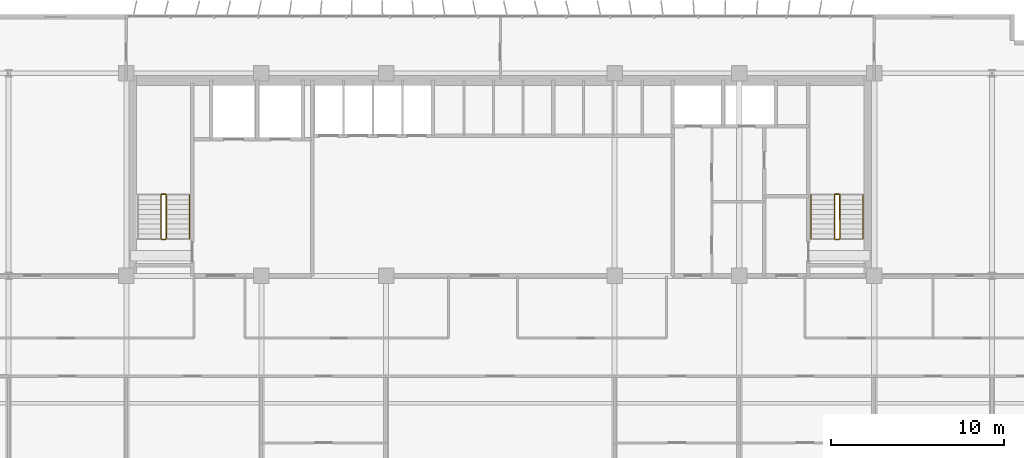
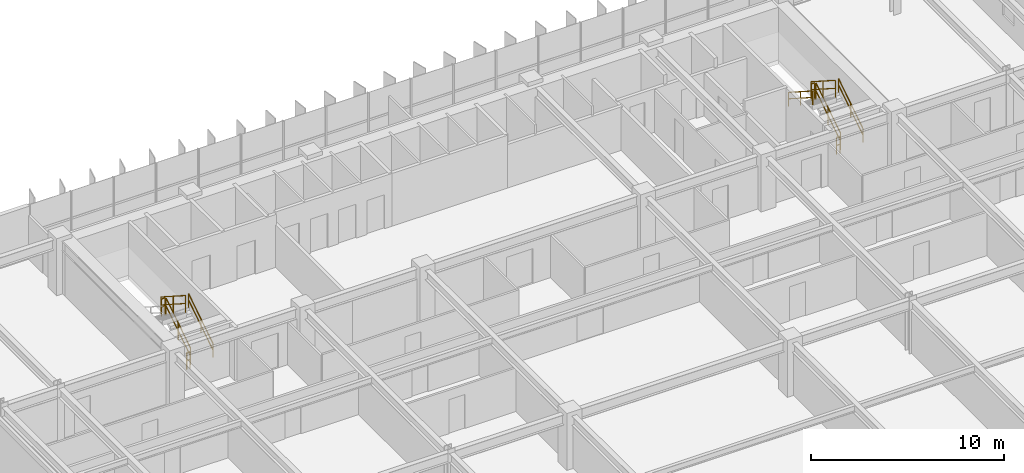
# One storey, part 20 of 21: 11 railings.
"""IFC4 building model written with IfcOpenShell, lengths in metres."""

import ifcopenshell
import ifcopenshell.guid

model = None  # the IFC model being written
_history = None  # IfcOwnerHistory: only IFC2X3 demands one
_inside = {}  # id of a spatial element -> (the spatial element, [elements in it])
_under = {}  # id of a project, library or spatial element -> (it, [spatial elements below it])
_declared = {}  # id of a project -> (the project, [libraries it declares])
_typed = {}  # id of a type object -> (the type object, [elements of that type])
_made_of = {}  # id of a material, layer set ... -> (it, [elements and type objects made of it])


def new_model(schema):
    """Start an empty IFC model of exactly this schema.

    Asked for "IFC4X3", IfcOpenShell would pick the latest addendum, in which some entities
    have other attributes; the version numbers below select the first issue.
    IFC2X3 requires an IfcOwnerHistory on every rooted entity: one is made here for all.
    """
    global model, _history
    if schema == "IFC4X3":
        model = ifcopenshell.file(schema_version=(4, 3, 0, 0))
    else:
        model = ifcopenshell.file(schema=schema)
    _inside.clear()
    _under.clear()
    _declared.clear()
    _typed.clear()
    _made_of.clear()
    _history = None
    if model.schema == "IFC2X3":
        org = make("IfcOrganization", Name="unknown")
        user = make(
            "IfcPersonAndOrganization",
            ThePerson=make("IfcPerson", FamilyName="unknown"),
            TheOrganization=org,
        )
        app = make(
            "IfcApplication",
            ApplicationDeveloper=org,
            Version="unknown",
            ApplicationFullName="unknown",
            ApplicationIdentifier="unknown",
        )
        _history = make(
            "IfcOwnerHistory",
            OwningUser=user,
            OwningApplication=app,
            ChangeAction="ADDED",
            CreationDate=0,
        )
    return model


def make(cls, **values):
    """One entity of the class cls with the attributes given. An attribute that is None is left unset."""
    return model.create_entity(
        cls, **{name: value for name, value in values.items() if value is not None}
    )


def rooted(cls, **values):
    """An entity with a GlobalId (a new one), such as an element, a storey or a relation."""
    return make(cls, GlobalId=ifcopenshell.guid.new(), OwnerHistory=_history, **values)


def si_unit(unit_type, name, prefix=None):
    """IfcSIUnit, for example si_unit("LENGTHUNIT", "METRE", prefix="MILLI")."""
    return make("IfcSIUnit", UnitType=unit_type, Prefix=prefix, Name=name)


def assignment(units):
    """IfcUnitAssignment: the units of a project."""
    return None if units is None else make("IfcUnitAssignment", Units=units)


def point(xyz):
    """IfcCartesianPoint."""
    return None if xyz is None else make("IfcCartesianPoint", Coordinates=xyz)


def direction(xyz):
    """IfcDirection."""
    return None if xyz is None else make("IfcDirection", DirectionRatios=xyz)


def frame(location, z_axis=None, x_axis=None):
    """IfcAxis2Placement3D, a coordinate frame: its origin and axes. An axis left out is left unset."""
    return make(
        "IfcAxis2Placement3D",
        Location=point(location),
        Axis=direction(z_axis),
        RefDirection=direction(x_axis),
    )


def frame_2d(location, x_axis=None):
    """IfcAxis2Placement2D, a coordinate frame in the plane: its origin and x axis."""
    return make(
        "IfcAxis2Placement2D", Location=point(location), RefDirection=direction(x_axis)
    )


def origin():
    """The frame at (0, 0, 0) with its axes left unset."""
    return frame((0.0, 0.0, 0.0))


def origin_2d():
    """The frame at (0, 0) in the plane with its x axis left unset."""
    return frame_2d((0.0, 0.0))


def place(relative_to, where):
    """IfcLocalPlacement: puts the frame where relative to a parent placement (None: the world)."""
    return make(
        "IfcLocalPlacement", PlacementRelTo=relative_to, RelativePlacement=where
    )


def context(
    kind, dimensions, precision=None, world=None, true_north=None, identifier=None
):
    """IfcGeometricRepresentationContext, for example the 3D "Model" context."""
    return make(
        "IfcGeometricRepresentationContext",
        ContextIdentifier=identifier,
        ContextType=kind,
        CoordinateSpaceDimension=dimensions,
        Precision=precision,
        WorldCoordinateSystem=world,
        TrueNorth=true_north,
    )


def subcontext(parent, identifier, kind, view, scale=None):
    """IfcGeometricRepresentationSubContext, for example "Body" below "Model"."""
    return make(
        "IfcGeometricRepresentationSubContext",
        ContextIdentifier=identifier,
        ContextType=kind,
        ParentContext=parent,
        TargetScale=scale,
        TargetView=view,
    )


def project(units=None, contexts=None):
    """IfcProject with its units and contexts."""
    return rooted(
        "IfcProject",
        Name="project",
        RepresentationContexts=contexts,
        UnitsInContext=assignment(units),
    )


def spatial(cls, under=None, at=None, **own):
    """A site, building, storey or space (cls), placed at a placement, below another one or the project."""
    s = rooted(cls, ObjectPlacement=at, **own)
    if under is not None:
        _under.setdefault(under.id(), (under, []))[1].append(s)
    return s


def profile(cls, at=None, kind="AREA", **sizes):
    """A parametric profile (cls). Its sizes go by their IFC names, for example OverallWidth=200.0."""
    return make(cls, ProfileType=kind, Position=at, **sizes)


def rectangle(**sizes):
    """IfcRectangleProfileDef."""
    return profile("IfcRectangleProfileDef", **sizes)


def extrude(swept, where, along, depth):
    """IfcExtrudedAreaSolid: the profile swept, set in the frame where, extruded along a direction by depth."""
    return make(
        "IfcExtrudedAreaSolid",
        SweptArea=swept,
        Position=where,
        ExtrudedDirection=direction(along),
        Depth=depth,
    )


def shape(context_of_items, identifier, shape_type, items):
    """IfcShapeRepresentation: the items that make up one representation, for example the "Body"."""
    return make(
        "IfcShapeRepresentation",
        ContextOfItems=context_of_items,
        RepresentationIdentifier=identifier,
        RepresentationType=shape_type,
        Items=items,
    )


def material(Name=None, Category=None):
    """IfcMaterial."""
    return make("IfcMaterial", Name=Name, Category=Category)


def made_of(thing, what):
    """Note that an element or type object is made of a material, layer set ...; save() writes the relation."""
    if what is not None:
        _made_of.setdefault(what.id(), (what, []))[1].append(thing)
    return thing


def type_object(cls, material=None, **own):
    """A type object (cls), such as IfcWallType, which elements share."""
    return made_of(rooted(cls, **own), material)


def element(
    cls,
    number,
    at=None,
    inside=None,
    cuts=None,
    type_object=None,
    material=None,
    context=None,
    identifier="Body",
    shape_type=None,
    held_by="IfcProductDefinitionShape",
    body=None,
    shapes=None,
    **own,
):
    """One element of the class cls, such as IfcWall. Its Tag is "e" and its number.

    at: its placement. inside: the storey or other place that contains it. cuts: it is an
    opening in that element (IfcRelVoidsElement). A single representation is given by context,
    identifier, shape_type and body (its items); several are given by shapes. held_by: the class
    of the entity that holds the representations. save() writes the other relations.
    """
    e = rooted(cls, Tag="e%d" % number, ObjectPlacement=at, **own)
    if body is not None:
        shapes = [shape(context, identifier, shape_type, body)]
    if shapes is not None:
        e.Representation = make(held_by, Representations=shapes)
    if inside is not None:
        _inside.setdefault(inside.id(), (inside, []))[1].append(e)
    if cuts is not None:
        rooted(
            "IfcRelVoidsElement", RelatingBuildingElement=cuts, RelatedOpeningElement=e
        )
    if type_object is not None:
        _typed.setdefault(type_object.id(), (type_object, []))[1].append(e)
    return made_of(e, material)


def aggregate(whole, parts):
    """IfcRelAggregates: a whole, such as a stair, and the parts it consists of."""
    return rooted("IfcRelAggregates", RelatingObject=whole, RelatedObjects=parts)


def save(model, path):
    """Write the relations noted so far, then the file.

    IfcRelAggregates (storeys below a building ...), IfcRelContainedInSpatialStructure (elements
    in a storey), IfcRelDefinesByType, IfcRelAssociatesMaterial and IfcRelDeclares: one each for
    every whole, place, type object, material and project.
    """
    for whole, parts in _under.values():
        aggregate(whole, parts)
    for where, things in _inside.values():
        rooted(
            "IfcRelContainedInSpatialStructure",
            RelatedElements=things,
            RelatingStructure=where,
        )
    for kind, things in _typed.values():
        rooted("IfcRelDefinesByType", RelatedObjects=things, RelatingType=kind)
    for what, things in _made_of.values():
        rooted("IfcRelAssociatesMaterial", RelatedObjects=things, RelatingMaterial=what)
    for by, libraries in _declared.values():
        rooted("IfcRelDeclares", RelatingContext=by, RelatedDefinitions=libraries)
    model.write(path)


model = new_model("IFC4")

# Units and contexts
model_context = context("Model", 3, precision=1e-05, world=origin(), true_north=direction((0.0, 1.0)))
body_context = subcontext(model_context, "Body", "Model", "MODEL_VIEW")
ifc_project = project(units=[si_unit("LENGTHUNIT", "METRE"), si_unit("AREAUNIT", "SQUARE_METRE"), si_unit("VOLUMEUNIT", "CUBIC_METRE"), si_unit("PLANEANGLEUNIT", "RADIAN"), si_unit("MASSUNIT", "GRAM", prefix="KILO")], contexts=[model_context])

# Site, building, storey
site_placement = place(None, origin())
site = spatial("IfcSite", under=ifc_project, at=site_placement, CompositionType="ELEMENT")
building_placement = place(site_placement, origin())
building = spatial("IfcBuilding", under=site, at=building_placement, Name="Trelvane Seafront Commons", CompositionType="ELEMENT")
storey_placement = place(building_placement, frame((0.0, 0.0, 41.5)))
storey = spatial("IfcBuildingStorey", under=building, at=storey_placement, Name="L10", CompositionType="ELEMENT", Elevation=41.5)

# Railings
ifc_material = material(Name="Stainless steel balustrade", Category="steel")
railing_type_1 = type_object("IfcRailingType", Name="ARCH-SRL-GUARD", PredefinedType="GUARDRAIL", material=ifc_material)
railing_1_placement = place(storey_placement, frame((17.89990234375, 35.550048828125, 0.179931640625)))
element("IfcRailing", 1, at=railing_1_placement, inside=storey, type_object=railing_type_1, Name="L10 ST-1 stair guard 1", PredefinedType="GUARDRAIL", context=body_context, shape_type="SweptSolid", body=[
    extrude(rectangle(XDim=0.048095703125, YDim=0.048095703125, at=origin_2d()), frame((0.0, 0.0, 1.076171875), z_axis=(0.0, 0.841162588446, 0.540782303519), x_axis=(-1.0, 0.0, 0.0)), (0.0, 0.0, 1.0), 2.995849609375),
    extrude(rectangle(XDim=0.048095703125, YDim=0.048095703125, at=origin_2d()), frame((0.0, 0.0, 0.572021484375), z_axis=(0.0, 0.841162588446, 0.540782303519), x_axis=(-1.0, 0.0, 0.0)), (0.0, 0.0, 1.0), 2.995849609375),
    extrude(rectangle(XDim=0.0419921875, YDim=0.0419921875, at=origin_2d()), origin(), (0.0, 0.0, 1.0), 1.076171875),
    extrude(rectangle(XDim=0.0419921875, YDim=0.0419921875, at=origin_2d()), frame((0.0, 1.260009765625, 0.81005859375)), (0.0, 0.0, 1.0), 1.076171875),
    extrude(rectangle(XDim=0.0419921875, YDim=0.0419921875, at=origin_2d()), frame((0.0, 2.52001953125, 1.6201171875)), (0.0, 0.0, 1.0), 1.076171875),
])
railing_2_placement = place(storey_placement, frame((17.85009765625, 38.1201171875, 1.800048828125)))
element("IfcRailing", 2, at=railing_2_placement, inside=storey, type_object=railing_type_1, Name="L10 ST-1 stair guard 2", PredefinedType="GUARDRAIL", context=body_context, shape_type="SweptSolid", body=[
    extrude(rectangle(XDim=0.048095703125, YDim=0.048095703125, at=origin_2d()), frame((0.0, 0.0, 1.076171875), z_axis=(-1.0, 0.0, 0.0), x_axis=(0.0, -1.0, 0.0)), (0.0, 0.0, 1.0), 0.2001953125),
    extrude(rectangle(XDim=0.048095703125, YDim=0.048095703125, at=origin_2d()), frame((0.0, 0.0, 0.572021484375), z_axis=(-1.0, 0.0, 0.0), x_axis=(0.0, -1.0, 0.0)), (0.0, 0.0, 1.0), 0.2001953125),
    extrude(rectangle(XDim=0.0419921875, YDim=0.0419921875, at=origin_2d()), origin(), (0.0, 0.0, 1.0), 1.076171875),
    extrude(rectangle(XDim=0.0419921875, YDim=0.0419921875, at=origin_2d()), frame((-0.2001953125, 0.0, 0.0)), (0.0, 0.0, 1.0), 1.076171875),
])
railing_3_placement = place(storey_placement, frame((17.60009765625, 38.070068359375, 1.97998046875)))
element("IfcRailing", 3, at=railing_3_placement, inside=storey, type_object=railing_type_1, Name="L10 ST-1 stair guard 3", PredefinedType="GUARDRAIL", context=body_context, shape_type="SweptSolid", body=[
    extrude(rectangle(XDim=0.048095703125, YDim=0.048095703125, at=origin_2d()), frame((0.0, 0.0, 1.076171875), z_axis=(0.0, -0.841162588446, 0.540782303519), x_axis=(1.0, 0.0, 0.0)), (0.0, 0.0, 1.0), 2.995849609375),
    extrude(rectangle(XDim=0.048095703125, YDim=0.048095703125, at=origin_2d()), frame((0.0, 0.0, 0.572021484375), z_axis=(0.0, -0.841162588446, 0.540782303519), x_axis=(1.0, 0.0, 0.0)), (0.0, 0.0, 1.0), 2.995849609375),
    extrude(rectangle(XDim=0.0419921875, YDim=0.0419921875, at=origin_2d()), origin(), (0.0, 0.0, 1.0), 1.076171875),
    extrude(rectangle(XDim=0.0419921875, YDim=0.0419921875, at=origin_2d()), frame((0.0, -1.260009765625, 0.81005859375)), (0.0, 0.0, 1.0), 1.076171875),
    extrude(rectangle(XDim=0.0419921875, YDim=0.0419921875, at=origin_2d()), frame((0.0, -2.52001953125, 1.6201171875)), (0.0, 0.0, 1.0), 1.076171875),
])
railing_4_placement = place(storey_placement, frame((17.85009765625, 35.5, 0.0)))
element("IfcRailing", 4, at=railing_4_placement, inside=storey, type_object=railing_type_1, Name="L10 ST-1 stair guard 4", PredefinedType="GUARDRAIL", context=body_context, shape_type="SweptSolid", body=[
    extrude(rectangle(XDim=0.048095703125, YDim=0.048095703125, at=origin_2d()), frame((0.0, 0.0, 1.076171875), z_axis=(-1.0, 0.0, 0.0), x_axis=(0.0, -1.0, 0.0)), (0.0, 0.0, 1.0), 0.2001953125),
    extrude(rectangle(XDim=0.048095703125, YDim=0.048095703125, at=origin_2d()), frame((0.0, 0.0, 0.572021484375), z_axis=(-1.0, 0.0, 0.0), x_axis=(0.0, -1.0, 0.0)), (0.0, 0.0, 1.0), 0.2001953125),
    extrude(rectangle(XDim=0.0419921875, YDim=0.0419921875, at=origin_2d()), origin(), (0.0, 0.0, 1.0), 1.076171875),
    extrude(rectangle(XDim=0.0419921875, YDim=0.0419921875, at=origin_2d()), frame((-0.2001953125, 0.0, 0.0)), (0.0, 0.0, 1.0), 1.076171875),
])
railing_5_placement = place(storey_placement, frame((56.800048828125, 35.550048828125, 0.179931640625)))
element("IfcRailing", 5, at=railing_5_placement, inside=storey, type_object=railing_type_1, Name="L10 ST-2 stair guard 1", PredefinedType="GUARDRAIL", context=body_context, shape_type="SweptSolid", body=[
    extrude(rectangle(XDim=0.048095703125, YDim=0.048095703125, at=origin_2d()), frame((0.0, 0.0, 1.076171875), z_axis=(0.0, 0.841162588446, 0.540782303519), x_axis=(-1.0, 0.0, 0.0)), (0.0, 0.0, 1.0), 2.995849609375),
    extrude(rectangle(XDim=0.048095703125, YDim=0.048095703125, at=origin_2d()), frame((0.0, 0.0, 0.572021484375), z_axis=(0.0, 0.841162588446, 0.540782303519), x_axis=(-1.0, 0.0, 0.0)), (0.0, 0.0, 1.0), 2.995849609375),
    extrude(rectangle(XDim=0.0419921875, YDim=0.0419921875, at=origin_2d()), origin(), (0.0, 0.0, 1.0), 1.076171875),
    extrude(rectangle(XDim=0.0419921875, YDim=0.0419921875, at=origin_2d()), frame((0.0, 1.260009765625, 0.81005859375)), (0.0, 0.0, 1.0), 1.076171875),
    extrude(rectangle(XDim=0.0419921875, YDim=0.0419921875, at=origin_2d()), frame((0.0, 2.52001953125, 1.6201171875)), (0.0, 0.0, 1.0), 1.076171875),
])
railing_6_placement = place(storey_placement, frame((56.75, 38.1201171875, 1.800048828125)))
element("IfcRailing", 6, at=railing_6_placement, inside=storey, type_object=railing_type_1, Name="L10 ST-2 stair guard 2", PredefinedType="GUARDRAIL", context=body_context, shape_type="SweptSolid", body=[
    extrude(rectangle(XDim=0.048095703125, YDim=0.048095703125, at=origin_2d()), frame((0.0, 0.0, 1.076171875), z_axis=(-1.0, 0.0, 0.0), x_axis=(0.0, -1.0, 0.0)), (0.0, 0.0, 1.0), 0.199951171875),
    extrude(rectangle(XDim=0.048095703125, YDim=0.048095703125, at=origin_2d()), frame((0.0, 0.0, 0.572021484375), z_axis=(-1.0, 0.0, 0.0), x_axis=(0.0, -1.0, 0.0)), (0.0, 0.0, 1.0), 0.199951171875),
    extrude(rectangle(XDim=0.0419921875, YDim=0.0419921875, at=origin_2d()), origin(), (0.0, 0.0, 1.0), 1.076171875),
    extrude(rectangle(XDim=0.0419921875, YDim=0.0419921875, at=origin_2d()), frame((-0.199951171875, 0.0, 0.0)), (0.0, 0.0, 1.0), 1.076171875),
])
railing_7_placement = place(storey_placement, frame((56.5, 38.070068359375, 1.97998046875)))
element("IfcRailing", 7, at=railing_7_placement, inside=storey, type_object=railing_type_1, Name="L10 ST-2 stair guard 3", PredefinedType="GUARDRAIL", context=body_context, shape_type="SweptSolid", body=[
    extrude(rectangle(XDim=0.048095703125, YDim=0.048095703125, at=origin_2d()), frame((0.0, 0.0, 1.076171875), z_axis=(0.0, -0.841162588446, 0.540782303519), x_axis=(1.0, 0.0, 0.0)), (0.0, 0.0, 1.0), 2.995849609375),
    extrude(rectangle(XDim=0.048095703125, YDim=0.048095703125, at=origin_2d()), frame((0.0, 0.0, 0.572021484375), z_axis=(0.0, -0.841162588446, 0.540782303519), x_axis=(1.0, 0.0, 0.0)), (0.0, 0.0, 1.0), 2.995849609375),
    extrude(rectangle(XDim=0.0419921875, YDim=0.0419921875, at=origin_2d()), origin(), (0.0, 0.0, 1.0), 1.076171875),
    extrude(rectangle(XDim=0.0419921875, YDim=0.0419921875, at=origin_2d()), frame((0.0, -1.260009765625, 0.81005859375)), (0.0, 0.0, 1.0), 1.076171875),
    extrude(rectangle(XDim=0.0419921875, YDim=0.0419921875, at=origin_2d()), frame((0.0, -2.52001953125, 1.6201171875)), (0.0, 0.0, 1.0), 1.076171875),
])
railing_8_placement = place(storey_placement, frame((56.75, 35.5, 0.0)))
element("IfcRailing", 8, at=railing_8_placement, inside=storey, type_object=railing_type_1, Name="L10 ST-2 stair guard 4", PredefinedType="GUARDRAIL", context=body_context, shape_type="SweptSolid", body=[
    extrude(rectangle(XDim=0.048095703125, YDim=0.048095703125, at=origin_2d()), frame((0.0, 0.0, 1.076171875), z_axis=(-1.0, 0.0, 0.0), x_axis=(0.0, -1.0, 0.0)), (0.0, 0.0, 1.0), 0.199951171875),
    extrude(rectangle(XDim=0.048095703125, YDim=0.048095703125, at=origin_2d()), frame((0.0, 0.0, 0.572021484375), z_axis=(-1.0, 0.0, 0.0), x_axis=(0.0, -1.0, 0.0)), (0.0, 0.0, 1.0), 0.199951171875),
    extrude(rectangle(XDim=0.0419921875, YDim=0.0419921875, at=origin_2d()), origin(), (0.0, 0.0, 1.0), 1.076171875),
    extrude(rectangle(XDim=0.0419921875, YDim=0.0419921875, at=origin_2d()), frame((-0.199951171875, 0.0, 0.0)), (0.0, 0.0, 1.0), 1.076171875),
])
railing_type_2 = type_object("IfcRailingType", Name="ARCH-SRL-HAND", PredefinedType="HANDRAIL", material=ifc_material)
for number, where, name in (
    (9, (19.25, 35.550048828125, 0.179931640625), "L10 ST-1 stair handrail 1"),
    (10, (58.14990234375, 35.550048828125, 0.179931640625), "L10 ST-2 stair handrail 1"),
):
    element("IfcRailing", number, at=place(storey_placement, frame(where)), inside=storey, type_object=railing_type_2, Name=name, PredefinedType="HANDRAIL", context=body_context, shape_type="SweptSolid", body=[
        extrude(rectangle(XDim=0.048095703125, YDim=0.048095703125, at=origin_2d()), frame((0.0, 0.0, 0.8759765625), z_axis=(0.0, 0.841162588446, 0.540782303519), x_axis=(-1.0, 0.0, 0.0)), (0.0, 0.0, 1.0), 2.995849609375),
        extrude(rectangle(XDim=0.048095703125, YDim=0.048095703125, at=origin_2d()), frame((0.0, 0.0, 0.468017578125), z_axis=(0.0, 0.841162588446, 0.540782303519), x_axis=(-1.0, 0.0, 0.0)), (0.0, 0.0, 1.0), 2.995849609375),
        extrude(rectangle(XDim=0.0419921875, YDim=0.0419921875, at=origin_2d()), origin(), (0.0, 0.0, 1.0), 0.8759765625),
        extrude(rectangle(XDim=0.0419921875, YDim=0.0419921875, at=origin_2d()), frame((0.0, 1.260009765625, 0.81005859375)), (0.0, 0.0, 1.0), 0.8759765625),
        extrude(rectangle(XDim=0.0419921875, YDim=0.0419921875, at=origin_2d()), frame((0.0, 2.52001953125, 1.6201171875)), (0.0, 0.0, 1.0), 0.8759765625),
    ])
railing_9_placement = place(storey_placement, frame((55.14990234375, 38.070068359375, 1.97998046875)))
element("IfcRailing", 11, at=railing_9_placement, inside=storey, type_object=railing_type_2, Name="L10 ST-2 stair handrail 2", PredefinedType="HANDRAIL", context=body_context, shape_type="SweptSolid", body=[
    extrude(rectangle(XDim=0.048095703125, YDim=0.048095703125, at=origin_2d()), frame((0.0, 0.0, 0.8759765625), z_axis=(0.0, -0.841162588446, 0.540782303519), x_axis=(1.0, 0.0, 0.0)), (0.0, 0.0, 1.0), 2.995849609375),
    extrude(rectangle(XDim=0.048095703125, YDim=0.048095703125, at=origin_2d()), frame((0.0, 0.0, 0.468017578125), z_axis=(0.0, -0.841162588446, 0.540782303519), x_axis=(1.0, 0.0, 0.0)), (0.0, 0.0, 1.0), 2.995849609375),
    extrude(rectangle(XDim=0.0419921875, YDim=0.0419921875, at=origin_2d()), origin(), (0.0, 0.0, 1.0), 0.8759765625),
    extrude(rectangle(XDim=0.0419921875, YDim=0.0419921875, at=origin_2d()), frame((0.0, -1.260009765625, 0.81005859375)), (0.0, 0.0, 1.0), 0.8759765625),
    extrude(rectangle(XDim=0.0419921875, YDim=0.0419921875, at=origin_2d()), frame((0.0, -2.52001953125, 1.6201171875)), (0.0, 0.0, 1.0), 0.8759765625),
])

save(model, "model.ifc")
